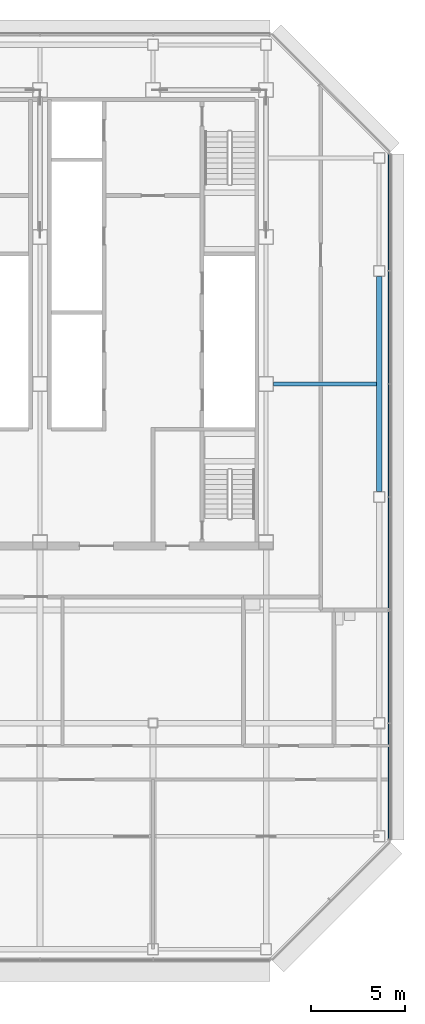
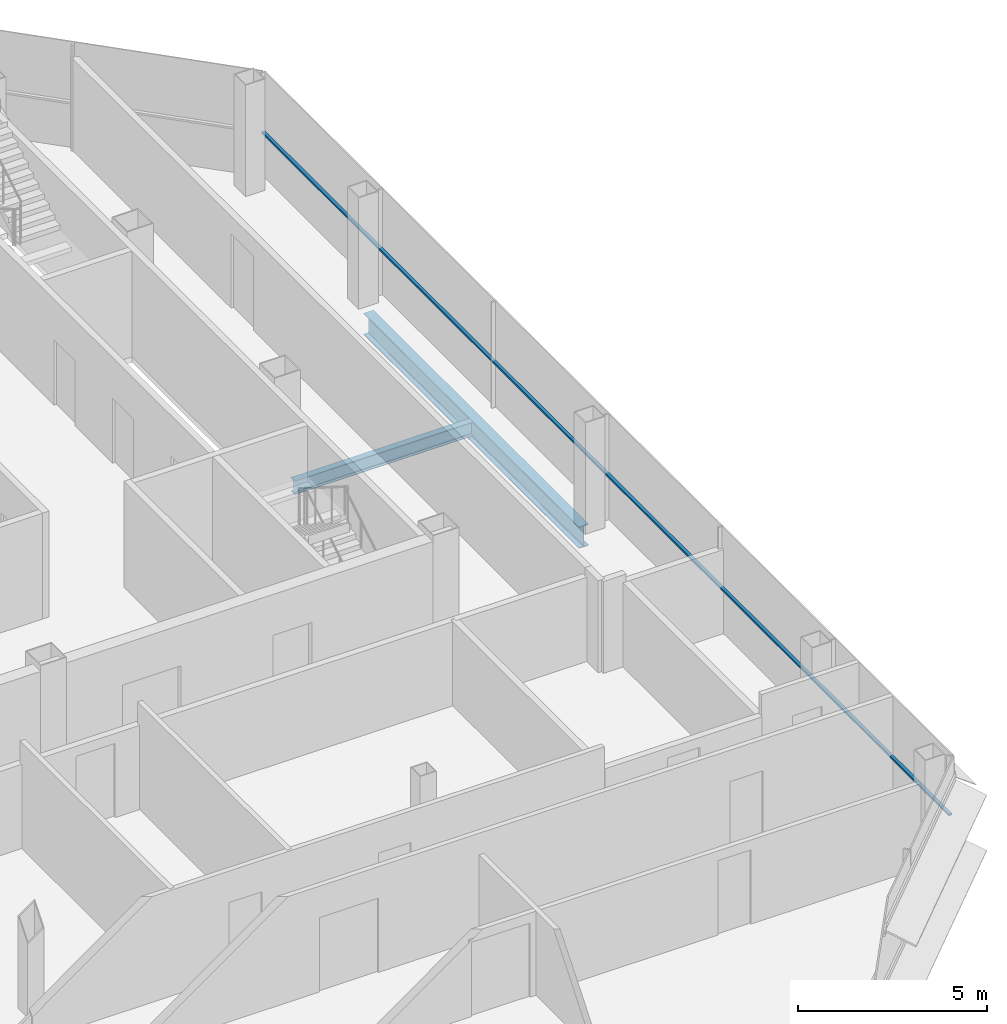
# One storey, part 17 of 27: 2 beams, 1 member, 1 element without a shape of its own.
"""IFC4 building model written with IfcOpenShell, lengths in metres."""

import ifcopenshell
import ifcopenshell.guid

model = None  # the IFC model being written
_history = None  # IfcOwnerHistory: only IFC2X3 demands one
_inside = {}  # id of a spatial element -> (the spatial element, [elements in it])
_under = {}  # id of a project, library or spatial element -> (it, [spatial elements below it])
_declared = {}  # id of a project -> (the project, [libraries it declares])
_typed = {}  # id of a type object -> (the type object, [elements of that type])
_made_of = {}  # id of a material, layer set ... -> (it, [elements and type objects made of it])


def new_model(schema):
    """Start an empty IFC model of exactly this schema.

    Asked for "IFC4X3", IfcOpenShell would pick the latest addendum, in which some entities
    have other attributes; the version numbers below select the first issue.
    IFC2X3 requires an IfcOwnerHistory on every rooted entity: one is made here for all.
    """
    global model, _history
    if schema == "IFC4X3":
        model = ifcopenshell.file(schema_version=(4, 3, 0, 0))
    else:
        model = ifcopenshell.file(schema=schema)
    _inside.clear()
    _under.clear()
    _declared.clear()
    _typed.clear()
    _made_of.clear()
    _history = None
    if model.schema == "IFC2X3":
        org = make("IfcOrganization", Name="unknown")
        user = make(
            "IfcPersonAndOrganization",
            ThePerson=make("IfcPerson", FamilyName="unknown"),
            TheOrganization=org,
        )
        app = make(
            "IfcApplication",
            ApplicationDeveloper=org,
            Version="unknown",
            ApplicationFullName="unknown",
            ApplicationIdentifier="unknown",
        )
        _history = make(
            "IfcOwnerHistory",
            OwningUser=user,
            OwningApplication=app,
            ChangeAction="ADDED",
            CreationDate=0,
        )
    return model


def make(cls, **values):
    """One entity of the class cls with the attributes given. An attribute that is None is left unset."""
    return model.create_entity(
        cls, **{name: value for name, value in values.items() if value is not None}
    )


def rooted(cls, **values):
    """An entity with a GlobalId (a new one), such as an element, a storey or a relation."""
    return make(cls, GlobalId=ifcopenshell.guid.new(), OwnerHistory=_history, **values)


def si_unit(unit_type, name, prefix=None):
    """IfcSIUnit, for example si_unit("LENGTHUNIT", "METRE", prefix="MILLI")."""
    return make("IfcSIUnit", UnitType=unit_type, Prefix=prefix, Name=name)


def assignment(units):
    """IfcUnitAssignment: the units of a project."""
    return None if units is None else make("IfcUnitAssignment", Units=units)


def point(xyz):
    """IfcCartesianPoint."""
    return None if xyz is None else make("IfcCartesianPoint", Coordinates=xyz)


def direction(xyz):
    """IfcDirection."""
    return None if xyz is None else make("IfcDirection", DirectionRatios=xyz)


def frame(location, z_axis=None, x_axis=None):
    """IfcAxis2Placement3D, a coordinate frame: its origin and axes. An axis left out is left unset."""
    return make(
        "IfcAxis2Placement3D",
        Location=point(location),
        Axis=direction(z_axis),
        RefDirection=direction(x_axis),
    )


def frame_2d(location, x_axis=None):
    """IfcAxis2Placement2D, a coordinate frame in the plane: its origin and x axis."""
    return make(
        "IfcAxis2Placement2D", Location=point(location), RefDirection=direction(x_axis)
    )


def origin():
    """The frame at (0, 0, 0) with its axes left unset."""
    return frame((0.0, 0.0, 0.0))


def origin_2d():
    """The frame at (0, 0) in the plane with its x axis left unset."""
    return frame_2d((0.0, 0.0))


def place(relative_to, where):
    """IfcLocalPlacement: puts the frame where relative to a parent placement (None: the world)."""
    return make(
        "IfcLocalPlacement", PlacementRelTo=relative_to, RelativePlacement=where
    )


def context(
    kind, dimensions, precision=None, world=None, true_north=None, identifier=None
):
    """IfcGeometricRepresentationContext, for example the 3D "Model" context."""
    return make(
        "IfcGeometricRepresentationContext",
        ContextIdentifier=identifier,
        ContextType=kind,
        CoordinateSpaceDimension=dimensions,
        Precision=precision,
        WorldCoordinateSystem=world,
        TrueNorth=true_north,
    )


def subcontext(parent, identifier, kind, view, scale=None):
    """IfcGeometricRepresentationSubContext, for example "Body" below "Model"."""
    return make(
        "IfcGeometricRepresentationSubContext",
        ContextIdentifier=identifier,
        ContextType=kind,
        ParentContext=parent,
        TargetScale=scale,
        TargetView=view,
    )


def project(units=None, contexts=None):
    """IfcProject with its units and contexts."""
    return rooted(
        "IfcProject",
        Name="project",
        RepresentationContexts=contexts,
        UnitsInContext=assignment(units),
    )


def spatial(cls, under=None, at=None, **own):
    """A site, building, storey or space (cls), placed at a placement, below another one or the project."""
    s = rooted(cls, ObjectPlacement=at, **own)
    if under is not None:
        _under.setdefault(under.id(), (under, []))[1].append(s)
    return s


def profile(cls, at=None, kind="AREA", **sizes):
    """A parametric profile (cls). Its sizes go by their IFC names, for example OverallWidth=200.0."""
    return make(cls, ProfileType=kind, Position=at, **sizes)


def rectangle(**sizes):
    """IfcRectangleProfileDef."""
    return profile("IfcRectangleProfileDef", **sizes)


def i_section(**sizes):
    """IfcIShapeProfileDef."""
    return profile("IfcIShapeProfileDef", **sizes)


def extrude(swept, where, along, depth):
    """IfcExtrudedAreaSolid: the profile swept, set in the frame where, extruded along a direction by depth."""
    return make(
        "IfcExtrudedAreaSolid",
        SweptArea=swept,
        Position=where,
        ExtrudedDirection=direction(along),
        Depth=depth,
    )


def shape(context_of_items, identifier, shape_type, items):
    """IfcShapeRepresentation: the items that make up one representation, for example the "Body"."""
    return make(
        "IfcShapeRepresentation",
        ContextOfItems=context_of_items,
        RepresentationIdentifier=identifier,
        RepresentationType=shape_type,
        Items=items,
    )


def material(Name=None, Category=None):
    """IfcMaterial."""
    return make("IfcMaterial", Name=Name, Category=Category)


def material_profile(
    of_material, cross_section, Name=None, Category=None, Priority=None
):
    """IfcMaterialProfile: a cross section and its material."""
    return make(
        "IfcMaterialProfile",
        Name=Name,
        Material=of_material,
        Profile=cross_section,
        Priority=Priority,
        Category=Category,
    )


def profile_set(profiles, Name=None, composite=None):
    """IfcMaterialProfileSet."""
    return make(
        "IfcMaterialProfileSet",
        Name=Name,
        MaterialProfiles=profiles,
        CompositeProfile=composite,
    )


def made_of(thing, what):
    """Note that an element or type object is made of a material, layer set ...; save() writes the relation."""
    if what is not None:
        _made_of.setdefault(what.id(), (what, []))[1].append(thing)
    return thing


def type_object(cls, material=None, **own):
    """A type object (cls), such as IfcWallType, which elements share."""
    return made_of(rooted(cls, **own), material)


def element(
    cls,
    number,
    at=None,
    inside=None,
    cuts=None,
    type_object=None,
    material=None,
    context=None,
    identifier="Body",
    shape_type=None,
    held_by="IfcProductDefinitionShape",
    body=None,
    shapes=None,
    **own,
):
    """One element of the class cls, such as IfcWall. Its Tag is "e" and its number.

    at: its placement. inside: the storey or other place that contains it. cuts: it is an
    opening in that element (IfcRelVoidsElement). A single representation is given by context,
    identifier, shape_type and body (its items); several are given by shapes. held_by: the class
    of the entity that holds the representations. save() writes the other relations.
    """
    e = rooted(cls, Tag="e%d" % number, ObjectPlacement=at, **own)
    if body is not None:
        shapes = [shape(context, identifier, shape_type, body)]
    if shapes is not None:
        e.Representation = make(held_by, Representations=shapes)
    if inside is not None:
        _inside.setdefault(inside.id(), (inside, []))[1].append(e)
    if cuts is not None:
        rooted(
            "IfcRelVoidsElement", RelatingBuildingElement=cuts, RelatedOpeningElement=e
        )
    if type_object is not None:
        _typed.setdefault(type_object.id(), (type_object, []))[1].append(e)
    return made_of(e, material)


def aggregate(whole, parts):
    """IfcRelAggregates: a whole, such as a stair, and the parts it consists of."""
    return rooted("IfcRelAggregates", RelatingObject=whole, RelatedObjects=parts)


def save(model, path):
    """Write the relations noted so far, then the file.

    IfcRelAggregates (storeys below a building ...), IfcRelContainedInSpatialStructure (elements
    in a storey), IfcRelDefinesByType, IfcRelAssociatesMaterial and IfcRelDeclares: one each for
    every whole, place, type object, material and project.
    """
    for whole, parts in _under.values():
        aggregate(whole, parts)
    for where, things in _inside.values():
        rooted(
            "IfcRelContainedInSpatialStructure",
            RelatedElements=things,
            RelatingStructure=where,
        )
    for kind, things in _typed.values():
        rooted("IfcRelDefinesByType", RelatedObjects=things, RelatingType=kind)
    for what, things in _made_of.values():
        rooted("IfcRelAssociatesMaterial", RelatedObjects=things, RelatingMaterial=what)
    for by, libraries in _declared.values():
        rooted("IfcRelDeclares", RelatingContext=by, RelatedDefinitions=libraries)
    model.write(path)


model = new_model("IFC4")

# Units and contexts
model_context = context("Model", 3, precision=1e-05, world=origin(), true_north=direction((0.0, 1.0)))
body_context = subcontext(model_context, "Body", "Model", "MODEL_VIEW")
ifc_project = project(units=[si_unit("LENGTHUNIT", "METRE"), si_unit("AREAUNIT", "SQUARE_METRE"), si_unit("VOLUMEUNIT", "CUBIC_METRE"), si_unit("PLANEANGLEUNIT", "RADIAN"), si_unit("MASSUNIT", "GRAM", prefix="KILO")], contexts=[model_context])

# Site, building, storey
site_placement = place(None, origin())
site = spatial("IfcSite", under=ifc_project, at=site_placement, CompositionType="ELEMENT")
building_placement = place(site_placement, origin())
building = spatial("IfcBuilding", under=site, at=building_placement, Name="Sorahane Residences", CompositionType="ELEMENT")
storey_placement = place(building_placement, frame((0.0, 0.0, 294.39990234375)))
storey = spatial("IfcBuildingStorey", under=building, at=storey_placement, Name="L69", CompositionType="ELEMENT", Elevation=294.39990234375)

# Curtain wall, member
ifc_material_1 = material(Name="Dark low-e glass and black anodised aluminium", Category="aluminium")
curtain_wall_type = type_object("IfcCurtainWallType", Name="Curtain wall CW-1 Typical unitised wall", PredefinedType="NOTDEFINED", material=ifc_material_1)
curtain_wall_placement = place(storey_placement, origin())
curtain_wall = element("IfcCurtainWall", 1, at=curtain_wall_placement, inside=storey, type_object=curtain_wall_type, Name="CW-1 curtain wall L69 E1", PredefinedType="NOTDEFINED")
ifc_material_2 = material(Name="Black anodised aluminium", Category="aluminium")
ifc_material_profile_1 = material_profile(ifc_material_2, rectangle(XDim=0.10009765625, YDim=0.06005859375, at=origin_2d()), Name="Curtain wall transom CW-1 black anodised aluminium 60x100")
ifc_profile_set_1 = profile_set([ifc_material_profile_1], Name="Black anodised aluminium")
member_type = type_object("IfcMemberType", Name="Curtain wall transom CW-1 black anodised aluminium 60x100", PredefinedType="USERDEFINED", material=ifc_profile_set_1)
member_placement = place(storey_placement, frame((48.530029296875, 5.801513671875, 1.5), z_axis=(0.0, 1.0, 0.0), x_axis=(-1.0, 0.0, 0.0)))
member = element("IfcMember", 2, at=member_placement, type_object=member_type, Name="CW-1 transom L69 E1", ObjectType="TRANSOM", PredefinedType="USERDEFINED", context=body_context, shape_type="SweptSolid", body=[
    extrude(rectangle(XDim=0.10009765625, YDim=0.06005859375, at=origin_2d()), origin(), (0.0, 0.0, 1.0), 36.39697265625),
])
aggregate(curtain_wall, [member])

# Beams
ifc_material_3 = material(Name="Steel Q355B", Category="steel")
ifc_material_profile_2 = material_profile(ifc_material_3, i_section(OverallWidth=0.199951171875, OverallDepth=0.449951171875, WebThickness=0.009033203125, FlangeThickness=0.013916015625, FilletRadius=0.02001953125, at=origin_2d()), Name="HN 450x200x9x14")
ifc_profile_set_2 = profile_set([ifc_material_profile_2], Name="Steel Q355B")
beam_type_1 = type_object("IfcBeamType", Name="Steel floor beam HN 450x200x9x14 Q355B", PredefinedType="BEAM", material=ifc_profile_set_2)
beam_1_placement = place(storey_placement, frame((42.39990234375, 30.0, -0.40478515625), z_axis=(1.0, 0.0, 0.0), x_axis=(0.0, 1.0, 0.0)))
element("IfcBeam", 3, at=beam_1_placement, inside=storey, type_object=beam_type_1, Name="Beam L69 086", PredefinedType="BEAM", context=body_context, shape_type="SweptSolid", body=[
    extrude(i_section(OverallWidth=0.199951171875, OverallDepth=0.449951171875, WebThickness=0.009033203125, FlangeThickness=0.013916015625, FilletRadius=0.02001953125, at=origin_2d()), origin(), (0.0, 0.0, 1.0), 5.4501953125),
])
ifc_material_4 = material(Name="Steel Q355B", Category="steel")
ifc_material_profile_3 = material_profile(ifc_material_4, i_section(OverallWidth=0.300048828125, OverallDepth=0.699951171875, WebThickness=0.012939453125, FlangeThickness=0.02392578125, FilletRadius=0.028076171875, at=origin_2d()), Name="HN 700x300x13x24")
ifc_profile_set_3 = profile_set([ifc_material_profile_3], Name="Steel Q355B")
beam_type_2 = type_object("IfcBeamType", Name="Steel floor beam HN 700x300x13x24 Q355B", PredefinedType="BEAM", material=ifc_profile_set_3)
beam_2_placement = place(storey_placement, frame((48.0, 24.300048828125, -0.52978515625), z_axis=(0.0, 1.0, 0.0), x_axis=(-1.0, 0.0, 0.0)))
element("IfcBeam", 4, at=beam_2_placement, inside=storey, type_object=beam_type_2, Name="Beam L69 064", PredefinedType="BEAM", context=body_context, shape_type="SweptSolid", body=[
    extrude(i_section(OverallWidth=0.300048828125, OverallDepth=0.699951171875, WebThickness=0.012939453125, FlangeThickness=0.02392578125, FilletRadius=0.028076171875, at=origin_2d()), origin(), (0.0, 0.0, 1.0), 11.39990234375),
])

save(model, "model.ifc")
